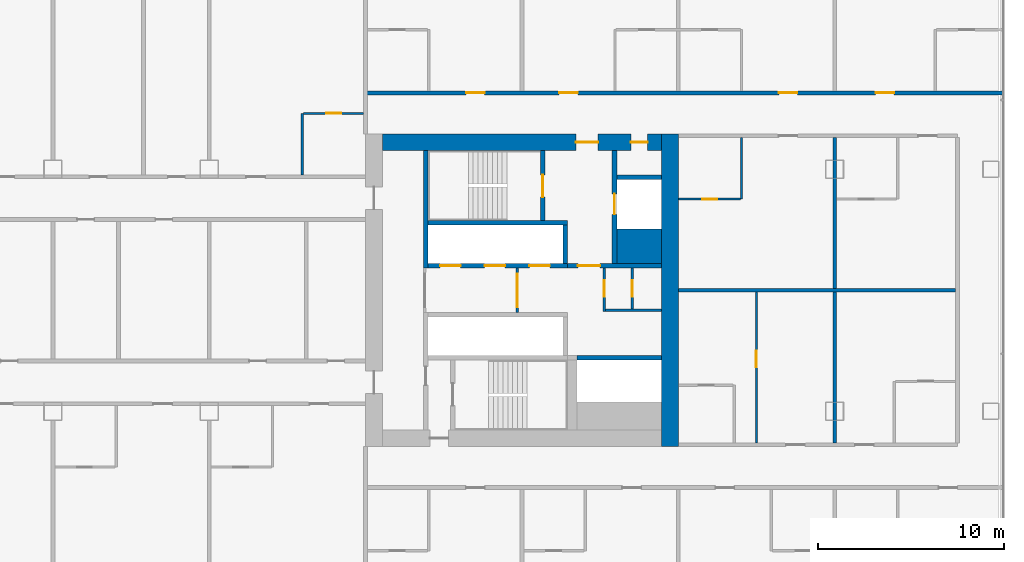
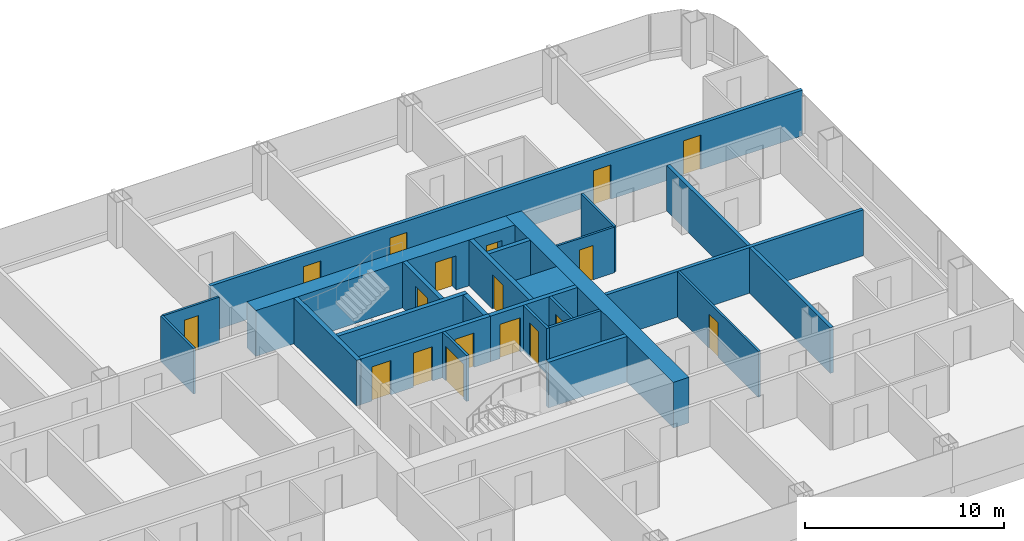
# One storey, part 18 of 28: 24 walls, 18 doors, 18 openings.
"""IFC4 building model written with IfcOpenShell, lengths in metres."""

from ifc_helpers import new_model, si_unit, direction, frame, frame_2d, origin, place, context, subcontext, project, spatial, rectangle, extrude, material, layer, layer_set, type_object, element, fill, save


model = new_model("IFC4")

# Units and contexts
model_context = context("Model", 3, precision=1e-05, world=origin(), true_north=direction((0.0, 1.0)))
body_context = subcontext(model_context, "Body", "Model", "MODEL_VIEW")
ifc_project = project(units=[si_unit("LENGTHUNIT", "METRE"), si_unit("AREAUNIT", "SQUARE_METRE"), si_unit("VOLUMEUNIT", "CUBIC_METRE"), si_unit("PLANEANGLEUNIT", "RADIAN"), si_unit("MASSUNIT", "GRAM", prefix="KILO")], contexts=[model_context])

# Site, building, storey
site_placement = place(None, origin())
site = spatial("IfcSite", under=ifc_project, at=site_placement, CompositionType="ELEMENT")
building_placement = place(site_placement, origin())
building = spatial("IfcBuilding", under=site, at=building_placement, Name="Hakoniwa Tower and Hamabe Station Hall", CompositionType="ELEMENT")
storey_placement = place(building_placement, frame((0.0, 0.0, 35.800048828125)))
storey = spatial("IfcBuildingStorey", under=building, at=storey_placement, Name="L09", CompositionType="ELEMENT", Elevation=35.800048828125)

# Wall, opening, door
ifc_material_1 = material(Name="Gypsum board partition", Category="gypsum")
ifc_layer_1 = layer(ifc_material_1, 0.125)
ifc_layer_set_1 = layer_set([ifc_layer_1], Name="Bathroom Partition 125")
wall_type_1 = type_object("IfcWallType", Name="Bathroom Partition 125", PredefinedType="PARTITIONING", material=ifc_layer_set_1)
wall_1_placement = place(storey_placement, frame((33.60009765625, 4.89990234375, 0.0), z_axis=(0.0, 0.0, 1.0), x_axis=(1.0, 0.0, 0.0)))
wall_1 = element("IfcWall", 1, at=wall_1_placement, inside=storey, type_object=wall_type_1, Name="GW-L09-024", PredefinedType="PARTITIONING", context=body_context, shape_type="SweptSolid", body=[
    extrude(rectangle(XDim=3.33740234375, YDim=0.125, at=frame_2d((1.668701171875, 0.0))), origin(), (0.0, 0.0, 1.0), 2.800048828125),
])
opening_1_placement = place(wall_1_placement, frame((1.300048828125, 0.0, 0.0)))
opening_1 = element("IfcOpeningElement", 2, at=opening_1_placement, cuts=wall_1, Name="Opening GD-G1A1-41", PredefinedType="OPENING", context=body_context, shape_type="SweptSolid", body=[
    extrude(rectangle(XDim=0.800048828125, YDim=2.10009765625, at=frame_2d((0.39990234375, 1.050048828125))), frame((0.0, 0.072509765625, 0.0), z_axis=(0.0, -1.0, 0.0), x_axis=(1.0, 0.0, 0.0)), (0.0, 0.0, 1.0), 0.14501953125),
])
ifc_material_2 = material(Name="Timber door leaf", Category="wood")
door_type_1 = type_object("IfcDoorType", Name="Bathroom Door 800", OperationType="SINGLE_SWING_LEFT", PredefinedType="DOOR", material=ifc_material_2)
door_1_placement = place(opening_1_placement, origin())
door_1 = element("IfcDoor", 3, at=door_1_placement, inside=storey, type_object=door_type_1, Name="Door GD-G1A1-41", OperationType="SINGLE_SWING_LEFT", OverallHeight=2.10009765625, OverallWidth=0.800048828125, PredefinedType="DOOR", context=body_context, shape_type="SweptSolid", body=[
    extrude(rectangle(XDim=0.800048828125, YDim=2.10009765625, at=frame_2d((0.39990234375, 1.050048828125))), frame((0.0, 0.02490234375, 0.0), z_axis=(0.0, -1.0, 0.0), x_axis=(1.0, 0.0, 0.0)), (0.0, 0.0, 1.0), 0.050048828125),
])
fill(opening_1, door_1)

wall_2_placement = place(storey_placement, frame((13.46240234375, 9.5, 0.0), z_axis=(0.0, 0.0, 1.0), x_axis=(1.0, 0.0, 0.0)))
wall_2 = element("IfcWall", 4, at=wall_2_placement, inside=storey, type_object=wall_type_1, Name="GW-L09-031", PredefinedType="PARTITIONING", context=body_context, shape_type="SweptSolid", body=[
    extrude(rectangle(XDim=3.237548828125, YDim=0.125, at=frame_2d((1.61865234375, 0.0))), origin(), (0.0, 0.0, 1.0), 2.800048828125),
])
opening_2_placement = place(wall_2_placement, frame((1.237548828125, 0.0, 0.0)))
opening_2 = element("IfcOpeningElement", 5, at=opening_2_placement, cuts=wall_2, Name="Opening GD-G1A1-54", PredefinedType="OPENING", context=body_context, shape_type="SweptSolid", body=[
    extrude(rectangle(XDim=0.800048828125, YDim=2.10009765625, at=frame_2d((0.39990234375, 1.050048828125))), frame((0.0, 0.072509765625, 0.0), z_axis=(0.0, -1.0, 0.0), x_axis=(1.0, 0.0, 0.0)), (0.0, 0.0, 1.0), 0.14501953125),
])
door_2_placement = place(opening_2_placement, origin())
door_2 = element("IfcDoor", 6, at=door_2_placement, inside=storey, type_object=door_type_1, Name="Door GD-G1A1-54", OperationType="SINGLE_SWING_RIGHT", OverallHeight=2.10009765625, OverallWidth=0.800048828125, PredefinedType="DOOR", context=body_context, shape_type="SweptSolid", body=[
    extrude(rectangle(XDim=0.800048828125, YDim=2.10009765625, at=frame_2d((0.39990234375, 1.050048828125))), frame((0.0, 0.02490234375, 0.0), z_axis=(0.0, -1.0, 0.0), x_axis=(1.0, 0.0, 0.0)), (0.0, 0.0, 1.0), 0.050048828125),
])
fill(opening_2, door_2)

# Walls
for number, where, z_axis, x_axis, name in (
    (7, (13.39990234375, 6.199951171875, 0.0), (0.0, 0.0, 1.0), (0.0, 1.0, 0.0), "GW-L09-082"),
    (8, (37.0, 4.89990234375, 0.0), (0.0, 0.0, 1.0), (0.0, 1.0, 0.0), "GW-L09-095"),
):
    element("IfcWall", number, at=place(storey_placement, frame(where, z_axis=z_axis, x_axis=x_axis)), inside=storey, type_object=wall_type_1, Name=name, PredefinedType="PARTITIONING", context=body_context, shape_type="SweptSolid", body=[
        extrude(rectangle(XDim=3.300048828125, YDim=0.125, at=frame_2d((1.64990234375, 0.0))), origin(), (0.0, 0.0, 1.0), 2.800048828125),
    ])

# Wall, opening, door
ifc_material_3 = material(Name="Gypsum board partition")
ifc_layer_2 = layer(ifc_material_3, 0.14990234375)
ifc_layer_set_2 = layer_set([ifc_layer_2], Name="CORE PARTITION 150 EI 60")
wall_type_2 = type_object("IfcWallType", Name="CORE PARTITION 150 EI 60", PredefinedType="PARTITIONING", material=ifc_layer_set_2)
wall_3_placement = place(storey_placement, frame((24.949951171875, -1.199951171875, 0.0), z_axis=(0.0, 0.0, 1.0), x_axis=(0.0, 1.0, 0.0)))
wall_3 = element("IfcWall", 9, at=wall_3_placement, inside=storey, type_object=wall_type_2, Name="Core partition PL1 east", PredefinedType="PARTITIONING", context=body_context, shape_type="SweptSolid", body=[
    extrude(rectangle(XDim=2.39990234375, YDim=0.14990234375, at=frame_2d((1.199951171875, 0.0))), origin(), (0.0, 0.0, 1.0), 2.800048828125),
])
opening_3_placement = place(wall_3_placement, frame((0.300048828125, 0.0, 0.0)))
opening_3 = element("IfcOpeningElement", 10, at=opening_3_placement, cuts=wall_3, Name="Opening CD-E-LP1-18", PredefinedType="OPENING", context=body_context, shape_type="SweptSolid", body=[
    extrude(rectangle(XDim=1.800048828125, YDim=2.10009765625, at=frame_2d((0.89990234375, 1.050048828125))), frame((0.0, 0.0849609375, 0.0), z_axis=(0.0, -1.0, 0.0), x_axis=(1.0, 0.0, 0.0)), (0.0, 0.0, 1.0), 0.169921875),
])
ifc_material_4 = material(Name="Steel fire door", Category="steel")
door_type_2 = type_object("IfcDoorType", Name="CORE DOOR 1800 FD60", OperationType="DOUBLE_DOOR_SINGLE_SWING", PredefinedType="DOOR", material=ifc_material_4)
door_3_placement = place(opening_3_placement, origin())
door_3 = element("IfcDoor", 11, at=door_3_placement, inside=storey, type_object=door_type_2, Name="Lift lobby partition door", OperationType="DOUBLE_DOOR_SINGLE_SWING", OverallHeight=2.10009765625, OverallWidth=1.800048828125, PredefinedType="DOOR", context=body_context, shape_type="SweptSolid", body=[
    extrude(rectangle(XDim=1.800048828125, YDim=2.10009765625, at=frame_2d((0.89990234375, 1.050048828125))), frame((0.0, 0.02490234375, 0.0), z_axis=(0.0, -1.0, 0.0), x_axis=(1.0, 0.0, 0.0)), (0.0, 0.0, 1.0), 0.050048828125),
])
fill(opening_3, door_3)

wall_4_placement = place(storey_placement, frame((29.625, -1.14990234375, 0.0), z_axis=(0.0, 0.0, 1.0), x_axis=(0.0, 1.0, 0.0)))
wall_4 = element("IfcWall", 12, at=wall_4_placement, inside=storey, type_object=wall_type_2, Name="Core partition PW0 east", PredefinedType="PARTITIONING", context=body_context, shape_type="SweptSolid", body=[
    extrude(rectangle(XDim=2.349853515625, YDim=0.14990234375, at=frame_2d((1.1748046875, 0.0))), origin(), (0.0, 0.0, 1.0), 2.800048828125),
])
opening_4_placement = place(wall_4_placement, frame((0.800048828125, 0.0, 0.0)))
opening_4 = element("IfcOpeningElement", 13, at=opening_4_placement, cuts=wall_4, Name="Opening CD-E-RM1-9", PredefinedType="OPENING", context=body_context, shape_type="SweptSolid", body=[
    extrude(rectangle(XDim=0.89990234375, YDim=2.10009765625, at=frame_2d((0.449951171875, 1.050048828125))), frame((0.0, 0.0849609375, 0.0), z_axis=(0.0, -1.0, 0.0), x_axis=(1.0, 0.0, 0.0)), (0.0, 0.0, 1.0), 0.169921875),
])
ifc_material_5 = material(Name="Steel fire door", Category="steel")
door_type_3 = type_object("IfcDoorType", Name="CORE DOOR 900 FD30", OperationType="NOTDEFINED", PredefinedType="DOOR", material=ifc_material_5)
door_4_placement = place(opening_4_placement, origin())
door_4 = element("IfcDoor", 14, at=door_4_placement, inside=storey, type_object=door_type_3, Name="Store room door", OperationType="SINGLE_SWING_RIGHT", OverallHeight=2.10009765625, OverallWidth=0.89990234375, PredefinedType="DOOR", context=body_context, shape_type="SweptSolid", body=[
    extrude(rectangle(XDim=0.89990234375, YDim=2.10009765625, at=frame_2d((0.449951171875, 1.050048828125))), frame((0.0, 0.02490234375, 0.0), z_axis=(0.0, -1.0, 0.0), x_axis=(1.0, 0.0, 0.0)), (0.0, 0.0, 1.0), 0.050048828125),
])
fill(opening_4, door_4)

# Wall
wall_5_placement = place(storey_placement, frame((29.699951171875, -1.074951171875, 0.0), z_axis=(0.0, 0.0, 1.0), x_axis=(1.0, 0.0, 0.0)))
element("IfcWall", 15, at=wall_5_placement, inside=storey, type_object=wall_type_2, Name="Core partition PS east", PredefinedType="PARTITIONING", context=body_context, shape_type="SweptSolid", body=[
    extrude(rectangle(XDim=3.0, YDim=0.14990234375, at=frame_2d((1.5, 0.0))), origin(), (0.0, 0.0, 1.0), 2.800048828125),
])

# Wall, opening, door
wall_6_placement = place(storey_placement, frame((31.125, -1.0, 0.0), z_axis=(0.0, 0.0, 1.0), x_axis=(0.0, 1.0, 0.0)))
wall_6 = element("IfcWall", 16, at=wall_6_placement, inside=storey, type_object=wall_type_2, Name="Core partition PW1 east", PredefinedType="PARTITIONING", context=body_context, shape_type="SweptSolid", body=[
    extrude(rectangle(XDim=2.199951171875, YDim=0.14990234375, at=frame_2d((1.10009765625, 0.0))), origin(), (0.0, 0.0, 1.0), 2.800048828125),
])
opening_5_placement = place(wall_6_placement, frame((0.64990234375, 0.0, 0.0)))
opening_5 = element("IfcOpeningElement", 17, at=opening_5_placement, cuts=wall_6, Name="Opening CD-E-RM2-9", PredefinedType="OPENING", context=body_context, shape_type="SweptSolid", body=[
    extrude(rectangle(XDim=0.89990234375, YDim=2.10009765625, at=frame_2d((0.449951171875, 1.050048828125))), frame((0.0, 0.0849609375, 0.0), z_axis=(0.0, -1.0, 0.0), x_axis=(1.0, 0.0, 0.0)), (0.0, 0.0, 1.0), 0.169921875),
])
door_5_placement = place(opening_5_placement, origin())
door_5 = element("IfcDoor", 18, at=door_5_placement, inside=storey, type_object=door_type_3, Name="Store room door", OperationType="SINGLE_SWING_RIGHT", OverallHeight=2.10009765625, OverallWidth=0.89990234375, PredefinedType="DOOR", context=body_context, shape_type="SweptSolid", body=[
    extrude(rectangle(XDim=0.89990234375, YDim=2.10009765625, at=frame_2d((0.449951171875, 1.050048828125))), frame((0.0, 0.02490234375, 0.0), z_axis=(0.0, -1.0, 0.0), x_axis=(1.0, 0.0, 0.0)), (0.0, 0.0, 1.0), 0.050048828125),
])
fill(opening_5, door_5)

# Wall
ifc_material_6 = material(Name="Concrete C80", Category="concrete")
ifc_layer_3 = layer(ifc_material_6, 0.89990234375)
ifc_layer_set_3 = layer_set([ifc_layer_3], Name="CORE WALL 900 C80")
wall_type_3 = type_object("IfcWallType", Name="CORE WALL 900 C80", PredefinedType="SHEAR", material=ifc_layer_set_3)
wall_7_placement = place(storey_placement, frame((33.14990234375, -8.39990234375, 0.0), z_axis=(0.0, 0.0, 1.0), x_axis=(0.0, 1.0, 0.0)))
element("IfcWall", 19, at=wall_7_placement, inside=storey, type_object=wall_type_3, Name="Core wall OUTER east", PredefinedType="SHEAR", context=body_context, shape_type="SweptSolid", body=[
    extrude(rectangle(XDim=16.7998046875, YDim=0.89990234375, at=frame_2d((8.39990234375, 0.0))), origin(), (0.0, 0.0, 1.0), 2.800048828125),
])

# Wall, openings, doors
wall_8_placement = place(storey_placement, frame((17.699951171875, 7.949951171875, 0.0), z_axis=(0.0, 0.0, 1.0), x_axis=(1.0, 0.0, 0.0)))
wall_8 = element("IfcWall", 20, at=wall_8_placement, inside=storey, type_object=wall_type_3, Name="Core wall NORTH east", PredefinedType="SHEAR", context=body_context, shape_type="SweptSolid", body=[
    extrude(rectangle(XDim=15.0, YDim=0.89990234375, at=frame_2d((7.5, 0.0))), origin(), (0.0, 0.0, 1.0), 2.800048828125),
])
opening_6_placement = place(wall_8_placement, frame((10.39990234375, 0.0, 0.0)))
opening_6 = element("IfcOpeningElement", 21, at=opening_6_placement, cuts=wall_8, Name="Opening CD-E-FN1-12", PredefinedType="OPENING", context=body_context, shape_type="SweptSolid", body=[
    extrude(rectangle(XDim=1.199951171875, YDim=2.10009765625, at=frame_2d((0.60009765625, 1.050048828125))), frame((0.0, 0.4599609375, 0.0), z_axis=(0.0, -1.0, 0.0), x_axis=(1.0, 0.0, 0.0)), (0.0, 0.0, 1.0), 0.919921875),
])
opening_7_placement = place(wall_8_placement, frame((13.35009765625, 0.0, 0.0)))
opening_7 = element("IfcOpeningElement", 22, at=opening_7_placement, cuts=wall_8, Name="Opening CD-E-FN2-9", PredefinedType="OPENING", context=body_context, shape_type="SweptSolid", body=[
    extrude(rectangle(XDim=0.89990234375, YDim=2.10009765625, at=frame_2d((0.449951171875, 1.050048828125))), frame((0.0, 0.4599609375, 0.0), z_axis=(0.0, -1.0, 0.0), x_axis=(1.0, 0.0, 0.0)), (0.0, 0.0, 1.0), 0.919921875),
])
ifc_material_7 = material(Name="Steel fire door", Category="steel")
door_type_4 = type_object("IfcDoorType", Name="CORE DOOR 1200 FD60", OperationType="DOUBLE_DOOR_SINGLE_SWING", PredefinedType="DOOR", material=ifc_material_7)
door_6_placement = place(opening_6_placement, origin())
door_6 = element("IfcDoor", 23, at=door_6_placement, inside=storey, type_object=door_type_4, Name="Stair vestibule door to the fire-fighting lobby", OperationType="DOUBLE_DOOR_SINGLE_SWING", OverallHeight=2.10009765625, OverallWidth=1.199951171875, PredefinedType="DOOR", context=body_context, shape_type="SweptSolid", body=[
    extrude(rectangle(XDim=1.199951171875, YDim=2.10009765625, at=frame_2d((0.60009765625, 1.050048828125))), frame((0.0, 0.02490234375, 0.0), z_axis=(0.0, -1.0, 0.0), x_axis=(1.0, 0.0, 0.0)), (0.0, 0.0, 1.0), 0.050048828125),
])
fill(opening_6, door_6)
door_7_placement = place(opening_7_placement, origin())
door_7 = element("IfcDoor", 24, at=door_7_placement, inside=storey, type_object=door_type_3, Name="Riser access door", OperationType="SINGLE_SWING_LEFT", OverallHeight=2.10009765625, OverallWidth=0.89990234375, PredefinedType="DOOR", context=body_context, shape_type="SweptSolid", body=[
    extrude(rectangle(XDim=0.89990234375, YDim=2.10009765625, at=frame_2d((0.449951171875, 1.050048828125))), frame((0.0, 0.02490234375, 0.0), z_axis=(0.0, -1.0, 0.0), x_axis=(1.0, 0.0, 0.0)), (0.0, 0.0, 1.0), 0.050048828125),
])
fill(opening_7, door_7)

# Walls
ifc_material_8 = material(Name="Concrete C80", Category="concrete")
ifc_layer_4 = layer(ifc_material_8, 1.85009765625)
ifc_layer_set_4 = layer_set([ifc_layer_4], Name="CORE WEB WALL 1850 C80")
wall_type_4 = type_object("IfcWallType", Name="CORE WEB WALL 1850 C80", PredefinedType="SHEAR", material=ifc_layer_set_4)
wall_9_placement = place(storey_placement, frame((30.300048828125, 2.375, 0.0), z_axis=(0.0, 0.0, 1.0), x_axis=(1.0, 0.0, 0.0)))
element("IfcWall", 25, at=wall_9_placement, inside=storey, type_object=wall_type_4, Name="Core wall CA east", PredefinedType="SHEAR", context=body_context, shape_type="SweptSolid", body=[
    extrude(rectangle(XDim=2.39990234375, YDim=1.85009765625, at=frame_2d((1.199951171875, 0.0))), origin(), (0.0, 0.0, 1.0), 2.800048828125),
])
ifc_material_9 = material(Name="Concrete C80", Category="concrete")
ifc_layer_5 = layer(ifc_material_9, 0.25)
ifc_layer_set_5 = layer_set([ifc_layer_5], Name="CORE WEB WALL 250 C80")
wall_type_5 = type_object("IfcWallType", Name="CORE WEB WALL 250 C80", PredefinedType="SHEAR", material=ifc_layer_set_5)
wall_10_placement = place(storey_placement, frame((20.02490234375, 1.199951171875, 0.0), z_axis=(0.0, 0.0, 1.0), x_axis=(0.0, 1.0, 0.0)))
element("IfcWall", 26, at=wall_10_placement, inside=storey, type_object=wall_type_5, Name="Core wall W1N east", PredefinedType="SHEAR", context=body_context, shape_type="SweptSolid", body=[
    extrude(rectangle(XDim=6.300048828125, YDim=0.25, at=frame_2d((3.14990234375, 0.0))), origin(), (0.0, 0.0, 1.0), 2.800048828125),
])

# Wall, openings, doors
wall_11_placement = place(storey_placement, frame((20.14990234375, 1.324951171875, 0.0), z_axis=(0.0, 0.0, 1.0), x_axis=(1.0, 0.0, 0.0)))
wall_11 = element("IfcWall", 27, at=wall_11_placement, inside=storey, type_object=wall_type_5, Name="Core wall NF east", PredefinedType="SHEAR", context=body_context, shape_type="SweptSolid", body=[
    extrude(rectangle(XDim=7.5, YDim=0.25, at=frame_2d((3.75, 0.0))), origin(), (0.0, 0.0, 1.0), 2.800048828125),
])
opening_8_placement = place(wall_11_placement, frame((0.64990234375, 0.0, 0.0)))
opening_8 = element("IfcOpeningElement", 28, at=opening_8_placement, cuts=wall_11, Name="Opening LD-LR4", PredefinedType="OPENING", context=body_context, shape_type="SweptSolid", body=[
    extrude(rectangle(XDim=1.10009765625, YDim=2.10009765625, at=frame_2d((0.550048828125, 1.050048828125))), frame((0.0, 0.135009765625, 0.0), z_axis=(0.0, -1.0, 0.0), x_axis=(1.0, 0.0, 0.0)), (0.0, 0.0, 1.0), 0.27001953125),
])
opening_9_placement = place(wall_11_placement, frame((3.050048828125, 0.0, 0.0)))
opening_9 = element("IfcOpeningElement", 29, at=opening_9_placement, cuts=wall_11, Name="Opening LD-LR5", PredefinedType="OPENING", context=body_context, shape_type="SweptSolid", body=[
    extrude(rectangle(XDim=1.10009765625, YDim=2.10009765625, at=frame_2d((0.550048828125, 1.050048828125))), frame((0.0, 0.135009765625, 0.0), z_axis=(0.0, -1.0, 0.0), x_axis=(1.0, 0.0, 0.0)), (0.0, 0.0, 1.0), 0.27001953125),
])
opening_10_placement = place(wall_11_placement, frame((5.449951171875, 0.0, 0.0)))
opening_10 = element("IfcOpeningElement", 30, at=opening_10_placement, cuts=wall_11, Name="Opening LD-LR6", PredefinedType="OPENING", context=body_context, shape_type="SweptSolid", body=[
    extrude(rectangle(XDim=1.10009765625, YDim=2.10009765625, at=frame_2d((0.550048828125, 1.050048828125))), frame((0.0, 0.135009765625, 0.0), z_axis=(0.0, -1.0, 0.0), x_axis=(1.0, 0.0, 0.0)), (0.0, 0.0, 1.0), 0.27001953125),
])
ifc_material_10 = material(Name="Stainless steel SUS304", Category="steel")
door_type_5 = type_object("IfcDoorType", Name="LIFT LANDING DOOR 1100 FD60", OperationType="DOUBLE_DOOR_SLIDING", PredefinedType="DOOR", material=ifc_material_10)
door_8_placement = place(opening_8_placement, origin())
door_8 = element("IfcDoor", 31, at=door_8_placement, inside=storey, type_object=door_type_5, Name="Lift landing door LR4 L09", OperationType="DOUBLE_DOOR_SLIDING", OverallHeight=2.10009765625, OverallWidth=1.10009765625, PredefinedType="DOOR", context=body_context, shape_type="SweptSolid", body=[
    extrude(rectangle(XDim=1.10009765625, YDim=2.10009765625, at=frame_2d((0.550048828125, 1.050048828125))), frame((0.0, 0.02490234375, 0.0), z_axis=(0.0, -1.0, 0.0), x_axis=(1.0, 0.0, 0.0)), (0.0, 0.0, 1.0), 0.050048828125),
])
fill(opening_8, door_8)
door_9_placement = place(opening_9_placement, origin())
door_9 = element("IfcDoor", 32, at=door_9_placement, inside=storey, type_object=door_type_5, Name="Lift landing door LR5 L09", OperationType="DOUBLE_DOOR_SLIDING", OverallHeight=2.10009765625, OverallWidth=1.10009765625, PredefinedType="DOOR", context=body_context, shape_type="SweptSolid", body=[
    extrude(rectangle(XDim=1.10009765625, YDim=2.10009765625, at=frame_2d((0.550048828125, 1.050048828125))), frame((0.0, 0.02490234375, 0.0), z_axis=(0.0, -1.0, 0.0), x_axis=(1.0, 0.0, 0.0)), (0.0, 0.0, 1.0), 0.050048828125),
])
fill(opening_9, door_9)
door_10_placement = place(opening_10_placement, origin())
door_10 = element("IfcDoor", 33, at=door_10_placement, inside=storey, type_object=door_type_5, Name="Lift landing door LR6 L09", OperationType="DOUBLE_DOOR_SLIDING", OverallHeight=2.10009765625, OverallWidth=1.10009765625, PredefinedType="DOOR", context=body_context, shape_type="SweptSolid", body=[
    extrude(rectangle(XDim=1.10009765625, YDim=2.10009765625, at=frame_2d((0.550048828125, 1.050048828125))), frame((0.0, 0.02490234375, 0.0), z_axis=(0.0, -1.0, 0.0), x_axis=(1.0, 0.0, 0.0)), (0.0, 0.0, 1.0), 0.050048828125),
])
fill(opening_10, door_10)

# Walls
wall_12_placement = place(storey_placement, frame((27.52490234375, 1.449951171875, 0.0), z_axis=(0.0, 0.0, 1.0), x_axis=(0.0, 1.0, 0.0)))
element("IfcWall", 34, at=wall_12_placement, inside=storey, type_object=wall_type_5, Name="Core wall NE east", PredefinedType="SHEAR", context=body_context, shape_type="SweptSolid", body=[
    extrude(rectangle(XDim=2.050048828125, YDim=0.25, at=frame_2d((1.02490234375, 0.0))), origin(), (0.0, 0.0, 1.0), 2.800048828125),
])
wall_13_placement = place(storey_placement, frame((20.14990234375, 3.625, 0.0), z_axis=(0.0, 0.0, 1.0), x_axis=(1.0, 0.0, 0.0)))
element("IfcWall", 35, at=wall_13_placement, inside=storey, type_object=wall_type_5, Name="Core wall NR east", PredefinedType="SHEAR", context=body_context, shape_type="SweptSolid", body=[
    extrude(rectangle(XDim=7.5, YDim=0.25, at=frame_2d((3.75, 0.0))), origin(), (0.0, 0.0, 1.0), 2.800048828125),
])

# Wall, opening, door
wall_14_placement = place(storey_placement, frame((26.324951171875, 3.75, 0.0), z_axis=(0.0, 0.0, 1.0), x_axis=(0.0, 1.0, 0.0)))
wall_14 = element("IfcWall", 36, at=wall_14_placement, inside=storey, type_object=wall_type_5, Name="Core wall NSE east", PredefinedType="SHEAR", context=body_context, shape_type="SweptSolid", body=[
    extrude(rectangle(XDim=3.75, YDim=0.25, at=frame_2d((1.875, 0.0))), origin(), (0.0, 0.0, 1.0), 2.800048828125),
])
opening_11_placement = place(wall_14_placement, frame((1.25, 0.0, 0.0)))
opening_11 = element("IfcOpeningElement", 37, at=opening_11_placement, cuts=wall_14, Name="Opening CD-E-SN-12", PredefinedType="OPENING", context=body_context, shape_type="SweptSolid", body=[
    extrude(rectangle(XDim=1.199951171875, YDim=2.10009765625, at=frame_2d((0.60009765625, 1.050048828125))), frame((0.0, 0.135009765625, 0.0), z_axis=(0.0, -1.0, 0.0), x_axis=(1.0, 0.0, 0.0)), (0.0, 0.0, 1.0), 0.27001953125),
])
door_11_placement = place(opening_11_placement, origin())
door_11 = element("IfcDoor", 38, at=door_11_placement, inside=storey, type_object=door_type_4, Name="Escape stair door", OperationType="DOUBLE_DOOR_SINGLE_SWING", OverallHeight=2.10009765625, OverallWidth=1.199951171875, PredefinedType="DOOR", context=body_context, shape_type="SweptSolid", body=[
    extrude(rectangle(XDim=1.199951171875, YDim=2.10009765625, at=frame_2d((0.60009765625, 1.050048828125))), frame((0.0, 0.02490234375, 0.0), z_axis=(0.0, -1.0, 0.0), x_axis=(1.0, 0.0, 0.0)), (0.0, 0.0, 1.0), 0.050048828125),
])
fill(opening_11, door_11)

wall_15_placement = place(storey_placement, frame((27.64990234375, 1.324951171875, 0.0), z_axis=(0.0, 0.0, 1.0), x_axis=(1.0, 0.0, 0.0)))
wall_15 = element("IfcWall", 39, at=wall_15_placement, inside=storey, type_object=wall_type_5, Name="Core wall ELN east", PredefinedType="SHEAR", context=body_context, shape_type="SweptSolid", body=[
    extrude(rectangle(XDim=5.050048828125, YDim=0.25, at=frame_2d((2.52490234375, 0.0))), origin(), (0.0, 0.0, 1.0), 2.800048828125),
])
opening_12_placement = place(wall_15_placement, frame((0.550048828125, 0.0, 0.0)))
opening_12 = element("IfcOpeningElement", 40, at=opening_12_placement, cuts=wall_15, Name="Opening CD-E-FL-12", PredefinedType="OPENING", context=body_context, shape_type="SweptSolid", body=[
    extrude(rectangle(XDim=1.199951171875, YDim=2.10009765625, at=frame_2d((0.60009765625, 1.050048828125))), frame((0.0, 0.135009765625, 0.0), z_axis=(0.0, -1.0, 0.0), x_axis=(1.0, 0.0, 0.0)), (0.0, 0.0, 1.0), 0.27001953125),
])
door_12_placement = place(opening_12_placement, origin())
door_12 = element("IfcDoor", 41, at=door_12_placement, inside=storey, type_object=door_type_4, Name="Stair vestibule door to the fire-fighting lobby", OperationType="DOUBLE_DOOR_SINGLE_SWING", OverallHeight=2.10009765625, OverallWidth=1.199951171875, PredefinedType="DOOR", context=body_context, shape_type="SweptSolid", body=[
    extrude(rectangle(XDim=1.199951171875, YDim=2.10009765625, at=frame_2d((0.60009765625, 1.050048828125))), frame((0.0, 0.02490234375, 0.0), z_axis=(0.0, -1.0, 0.0), x_axis=(1.0, 0.0, 0.0)), (0.0, 0.0, 1.0), 0.050048828125),
])
fill(opening_12, door_12)

wall_16_placement = place(storey_placement, frame((30.175048828125, 1.449951171875, 0.0), z_axis=(0.0, 0.0, 1.0), x_axis=(0.0, 1.0, 0.0)))
wall_16 = element("IfcWall", 42, at=wall_16_placement, inside=storey, type_object=wall_type_5, Name="Core wall FFF east", PredefinedType="SHEAR", context=body_context, shape_type="SweptSolid", body=[
    extrude(rectangle(XDim=6.050048828125, YDim=0.25, at=frame_2d((3.02490234375, 0.0))), origin(), (0.0, 0.0, 1.0), 2.800048828125),
])
opening_13_placement = place(wall_16_placement, frame((2.625, 0.0, 0.0)))
opening_13 = element("IfcOpeningElement", 43, at=opening_13_placement, cuts=wall_16, Name="Opening LD-FF2", PredefinedType="OPENING", context=body_context, shape_type="SweptSolid", body=[
    extrude(rectangle(XDim=1.10009765625, YDim=2.10009765625, at=frame_2d((0.550048828125, 1.050048828125))), frame((0.0, 0.135009765625, 0.0), z_axis=(0.0, -1.0, 0.0), x_axis=(1.0, 0.0, 0.0)), (0.0, 0.0, 1.0), 0.27001953125),
])
door_13_placement = place(opening_13_placement, origin())
door_13 = element("IfcDoor", 44, at=door_13_placement, inside=storey, type_object=door_type_5, Name="Lift landing door FF2 L09", OperationType="DOUBLE_DOOR_SLIDING", OverallHeight=2.10009765625, OverallWidth=1.10009765625, PredefinedType="DOOR", context=body_context, shape_type="SweptSolid", body=[
    extrude(rectangle(XDim=1.10009765625, YDim=2.10009765625, at=frame_2d((0.550048828125, 1.050048828125))), frame((0.0, 0.02490234375, 0.0), z_axis=(0.0, -1.0, 0.0), x_axis=(1.0, 0.0, 0.0)), (0.0, 0.0, 1.0), 0.050048828125),
])
fill(opening_13, door_13)

# Walls
wall_17_placement = place(storey_placement, frame((30.300048828125, 6.074951171875, 0.0), z_axis=(0.0, 0.0, 1.0), x_axis=(1.0, 0.0, 0.0)))
element("IfcWall", 45, at=wall_17_placement, inside=storey, type_object=wall_type_5, Name="Core wall C2 east", PredefinedType="SHEAR", context=body_context, shape_type="SweptSolid", body=[
    extrude(rectangle(XDim=2.39990234375, YDim=0.25, at=frame_2d((1.199951171875, 0.0))), origin(), (0.0, 0.0, 1.0), 2.800048828125),
])
wall_18_placement = place(storey_placement, frame((28.14990234375, -3.625, 0.0), z_axis=(0.0, 0.0, 1.0), x_axis=(1.0, 0.0, 0.0)))
element("IfcWall", 46, at=wall_18_placement, inside=storey, type_object=wall_type_5, Name="Core wall SEF east", PredefinedType="SHEAR", context=body_context, shape_type="SweptSolid", body=[
    extrude(rectangle(XDim=4.550048828125, YDim=0.25, at=frame_2d((2.27490234375, 0.0))), origin(), (0.0, 0.0, 1.0), 2.800048828125),
])

# Wall, openings, doors
ifc_material_11 = material(Name="Fire-rated gypsum board partition", Category="gypsum")
ifc_layer_6 = layer(ifc_material_11, 0.199951171875)
ifc_layer_set_6 = layer_set([ifc_layer_6], Name="Corridor Wall 200")
wall_type_6 = type_object("IfcWallType", Name="Corridor Wall 200", PredefinedType="PARTITIONING", material=ifc_layer_set_6)
wall_19_placement = place(storey_placement, frame((16.800048828125, 10.60009765625, 0.0), z_axis=(0.0, 0.0, 1.0), x_axis=(1.0, 0.0, 0.0)))
wall_19 = element("IfcWall", 47, at=wall_19_placement, inside=storey, type_object=wall_type_6, Name="GW-L09-033", PredefinedType="PARTITIONING", context=body_context, shape_type="SweptSolid", body=[
    extrude(rectangle(XDim=34.300048828125, YDim=0.199951171875, at=frame_2d((17.14990234375, 0.0))), origin(), (0.0, 0.0, 1.0), 2.800048828125),
])
opening_14_placement = place(wall_19_placement, frame((5.39990234375, 0.0, 0.0)))
opening_14 = element("IfcOpeningElement", 48, at=opening_14_placement, cuts=wall_19, Name="Opening GD-G1A1-59", PredefinedType="OPENING", context=body_context, shape_type="SweptSolid", body=[
    extrude(rectangle(XDim=1.0, YDim=2.10009765625, at=frame_2d((0.5, 1.050048828125))), frame((0.0, 0.10986328125, 0.0), z_axis=(0.0, -1.0, 0.0), x_axis=(1.0, 0.0, 0.0)), (0.0, 0.0, 1.0), 0.219970703125),
])
opening_15_placement = place(wall_19_placement, frame((10.39990234375, 0.0, 0.0)))
opening_15 = element("IfcOpeningElement", 49, at=opening_15_placement, cuts=wall_19, Name="Opening GD-G1A1-60", PredefinedType="OPENING", context=body_context, shape_type="SweptSolid", body=[
    extrude(rectangle(XDim=1.0, YDim=2.10009765625, at=frame_2d((0.5, 1.050048828125))), frame((0.0, 0.10986328125, 0.0), z_axis=(0.0, -1.0, 0.0), x_axis=(1.0, 0.0, 0.0)), (0.0, 0.0, 1.0), 0.219970703125),
])
opening_16_placement = place(wall_19_placement, frame((22.199951171875, 0.0, 0.0)))
opening_16 = element("IfcOpeningElement", 50, at=opening_16_placement, cuts=wall_19, Name="Opening GD-G1A1-61", PredefinedType="OPENING", context=body_context, shape_type="SweptSolid", body=[
    extrude(rectangle(XDim=1.0, YDim=2.10009765625, at=frame_2d((0.5, 1.050048828125))), frame((0.0, 0.10986328125, 0.0), z_axis=(0.0, -1.0, 0.0), x_axis=(1.0, 0.0, 0.0)), (0.0, 0.0, 1.0), 0.219970703125),
])
opening_17_placement = place(wall_19_placement, frame((27.39990234375, 0.0, 0.0)))
opening_17 = element("IfcOpeningElement", 51, at=opening_17_placement, cuts=wall_19, Name="Opening GD-G1A1-62", PredefinedType="OPENING", context=body_context, shape_type="SweptSolid", body=[
    extrude(rectangle(XDim=1.0, YDim=2.10009765625, at=frame_2d((0.5, 1.050048828125))), frame((0.0, 0.10986328125, 0.0), z_axis=(0.0, -1.0, 0.0), x_axis=(1.0, 0.0, 0.0)), (0.0, 0.0, 1.0), 0.219970703125),
])
ifc_material_12 = material(Name="Timber door leaf", Category="wood")
door_type_6 = type_object("IfcDoorType", Name="Guest Entrance Door 1000", OperationType="SINGLE_SWING_LEFT", PredefinedType="DOOR", material=ifc_material_12)
door_14_placement = place(opening_14_placement, origin())
door_14 = element("IfcDoor", 52, at=door_14_placement, inside=storey, type_object=door_type_6, Name="Door GD-G1A1-59", OperationType="SINGLE_SWING_RIGHT", OverallHeight=2.10009765625, OverallWidth=1.0, PredefinedType="DOOR", context=body_context, shape_type="SweptSolid", body=[
    extrude(rectangle(XDim=1.0, YDim=2.10009765625, at=frame_2d((0.5, 1.050048828125))), frame((0.0, 0.02490234375, 0.0), z_axis=(0.0, -1.0, 0.0), x_axis=(1.0, 0.0, 0.0)), (0.0, 0.0, 1.0), 0.050048828125),
])
fill(opening_14, door_14)
door_15_placement = place(opening_15_placement, origin())
door_15 = element("IfcDoor", 53, at=door_15_placement, inside=storey, type_object=door_type_6, Name="Door GD-G1A1-60", OperationType="SINGLE_SWING_RIGHT", OverallHeight=2.10009765625, OverallWidth=1.0, PredefinedType="DOOR", context=body_context, shape_type="SweptSolid", body=[
    extrude(rectangle(XDim=1.0, YDim=2.10009765625, at=frame_2d((0.5, 1.050048828125))), frame((0.0, 0.02490234375, 0.0), z_axis=(0.0, -1.0, 0.0), x_axis=(1.0, 0.0, 0.0)), (0.0, 0.0, 1.0), 0.050048828125),
])
fill(opening_15, door_15)
door_16_placement = place(opening_16_placement, origin())
door_16 = element("IfcDoor", 54, at=door_16_placement, inside=storey, type_object=door_type_6, Name="Door GD-G1A1-61", OperationType="SINGLE_SWING_LEFT", OverallHeight=2.10009765625, OverallWidth=1.0, PredefinedType="DOOR", context=body_context, shape_type="SweptSolid", body=[
    extrude(rectangle(XDim=1.0, YDim=2.10009765625, at=frame_2d((0.5, 1.050048828125))), frame((0.0, 0.02490234375, 0.0), z_axis=(0.0, -1.0, 0.0), x_axis=(1.0, 0.0, 0.0)), (0.0, 0.0, 1.0), 0.050048828125),
])
fill(opening_16, door_16)
door_17_placement = place(opening_17_placement, origin())
door_17 = element("IfcDoor", 55, at=door_17_placement, inside=storey, type_object=door_type_6, Name="Door GD-G1A1-62", OperationType="SINGLE_SWING_RIGHT", OverallHeight=2.10009765625, OverallWidth=1.0, PredefinedType="DOOR", context=body_context, shape_type="SweptSolid", body=[
    extrude(rectangle(XDim=1.0, YDim=2.10009765625, at=frame_2d((0.5, 1.050048828125))), frame((0.0, 0.02490234375, 0.0), z_axis=(0.0, -1.0, 0.0), x_axis=(1.0, 0.0, 0.0)), (0.0, 0.0, 1.0), 0.050048828125),
])
fill(opening_17, door_17)

# Walls
ifc_material_13 = material(Name="Fire-rated gypsum board partition", Category="gypsum")
ifc_layer_7 = layer(ifc_material_13, 0.199951171875)
ifc_layer_set_7 = layer_set([ifc_layer_7], Name="Party Wall 200")
wall_type_7 = type_object("IfcWallType", Name="Party Wall 200", PredefinedType="PARTITIONING", material=ifc_layer_set_7)
wall_20_placement = place(storey_placement, frame((33.60009765625, 0.0, 0.0), z_axis=(0.0, 0.0, 1.0), x_axis=(1.0, 0.0, 0.0)))
element("IfcWall", 56, at=wall_20_placement, inside=storey, type_object=wall_type_7, Name="GW-L09-021", PredefinedType="PARTITIONING", context=body_context, shape_type="SweptSolid", body=[
    extrude(rectangle(XDim=14.89990234375, YDim=0.199951171875, at=frame_2d((7.449951171875, 0.0))), origin(), (0.0, 0.0, 1.0), 2.800048828125),
])
wall_21_placement = place(storey_placement, frame((42.0, -8.199951171875, 0.0), z_axis=(0.0, 0.0, 1.0), x_axis=(0.0, 1.0, 0.0)))
element("IfcWall", 57, at=wall_21_placement, inside=storey, type_object=wall_type_7, Name="GW-L09-100", PredefinedType="PARTITIONING", context=body_context, shape_type="SweptSolid", body=[
    extrude(rectangle(XDim=16.39990234375, YDim=0.199951171875, at=frame_2d((8.199951171875, 0.0))), origin(), (0.0, 0.0, 1.0), 2.800048828125),
])

# Wall, opening, door
ifc_material_14 = material(Name="Gypsum board partition", Category="gypsum")
ifc_layer_8 = layer(ifc_material_14, 0.125)
ifc_layer_set_8 = layer_set([ifc_layer_8], Name="Room Partition 125")
wall_type_8 = type_object("IfcWallType", Name="Room Partition 125", PredefinedType="PARTITIONING", material=ifc_layer_set_8)
wall_22_placement = place(storey_placement, frame((37.800048828125, -8.199951171875, 0.0), z_axis=(0.0, 0.0, 1.0), x_axis=(0.0, 1.0, 0.0)))
wall_22 = element("IfcWall", 58, at=wall_22_placement, inside=storey, type_object=wall_type_8, Name="GW-L09-097", PredefinedType="PARTITIONING", context=body_context, shape_type="SweptSolid", body=[
    extrude(rectangle(XDim=8.099853515625, YDim=0.125, at=frame_2d((4.0498046875, 0.0))), origin(), (0.0, 0.0, 1.0), 2.800048828125),
])
opening_18_placement = place(wall_22_placement, frame((4.050048828125, 0.0, 0.0)))
opening_18 = element("IfcOpeningElement", 59, at=opening_18_placement, cuts=wall_22, Name="Opening GD-G1A1-75", PredefinedType="OPENING", context=body_context, shape_type="SweptSolid", body=[
    extrude(rectangle(XDim=0.89990234375, YDim=2.10009765625, at=frame_2d((0.449951171875, 1.050048828125))), frame((0.0, 0.072509765625, 0.0), z_axis=(0.0, -1.0, 0.0), x_axis=(1.0, 0.0, 0.0)), (0.0, 0.0, 1.0), 0.14501953125),
])
ifc_material_15 = material(Name="Timber door leaf", Category="wood")
door_type_7 = type_object("IfcDoorType", Name="Suite Interior Door 900", OperationType="SINGLE_SWING_LEFT", PredefinedType="DOOR", material=ifc_material_15)
door_18_placement = place(opening_18_placement, origin())
door_18 = element("IfcDoor", 60, at=door_18_placement, inside=storey, type_object=door_type_7, Name="Door GD-G1A1-75", OperationType="SINGLE_SWING_RIGHT", OverallHeight=2.10009765625, OverallWidth=0.89990234375, PredefinedType="DOOR", context=body_context, shape_type="SweptSolid", body=[
    extrude(rectangle(XDim=0.89990234375, YDim=2.10009765625, at=frame_2d((0.449951171875, 1.050048828125))), frame((0.0, 0.02490234375, 0.0), z_axis=(0.0, -1.0, 0.0), x_axis=(1.0, 0.0, 0.0)), (0.0, 0.0, 1.0), 0.050048828125),
])
fill(opening_18, door_18)

save(model, "model.ifc")
